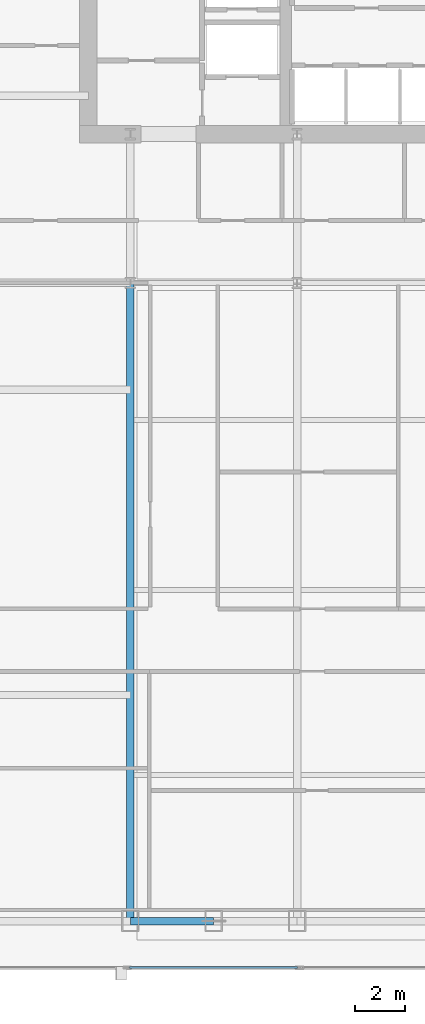
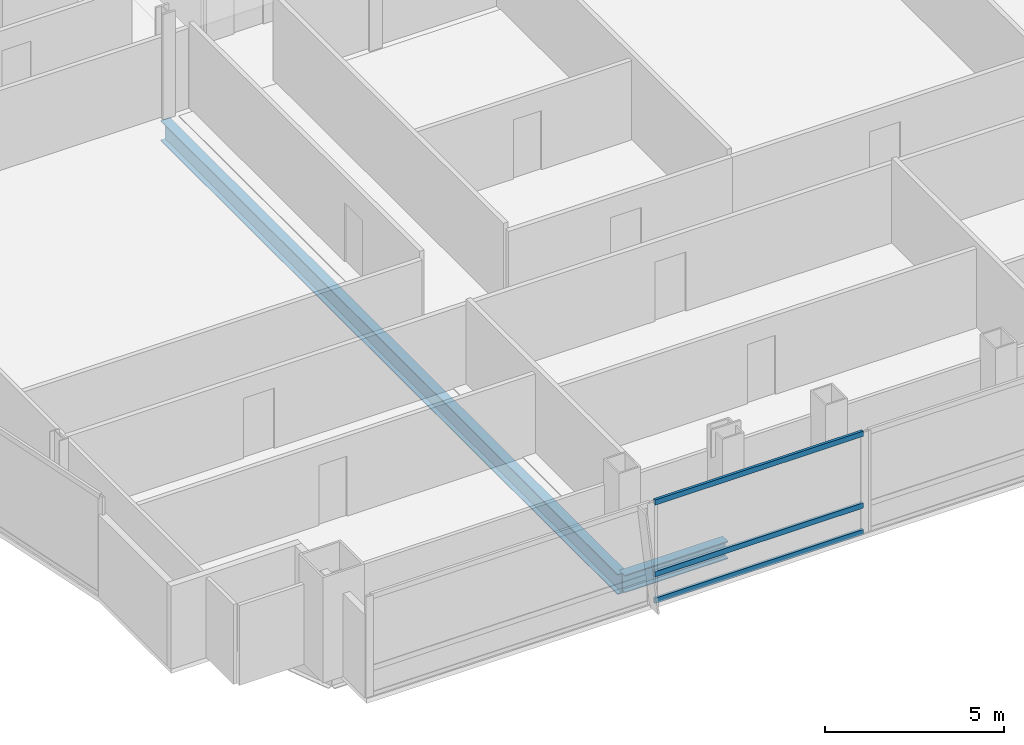
# One storey, part 7 of 29: 3 members, 2 beams, 1 element without a shape of its own.
"""IFC4 building model written with IfcOpenShell, lengths in metres."""

from ifc_helpers import new_model, si_unit, direction, frame, origin, origin_2d, place, context, subcontext, project, spatial, hollow_rectangle, i_section, extrude, material, material_profile, profile_set, type_object, element, aggregate, save


model = new_model("IFC4")

# Units and contexts
model_context = context("Model", 3, precision=1e-05, world=origin(), true_north=direction((0.0, 1.0)))
body_context = subcontext(model_context, "Body", "Model", "MODEL_VIEW")
ifc_project = project(units=[si_unit("LENGTHUNIT", "METRE"), si_unit("AREAUNIT", "SQUARE_METRE"), si_unit("VOLUMEUNIT", "CUBIC_METRE"), si_unit("PLANEANGLEUNIT", "RADIAN"), si_unit("MASSUNIT", "GRAM", prefix="KILO")], contexts=[model_context])

# Site, building, storey
site_placement = place(None, origin())
site = spatial("IfcSite", under=ifc_project, at=site_placement, CompositionType="ELEMENT")
building_placement = place(site_placement, origin())
building = spatial("IfcBuilding", under=site, at=building_placement, Name="Khoronbel Lancet Exchange", CompositionType="ELEMENT")
storey_placement = place(building_placement, frame((0.0, 0.0, 154.199951171875)))
storey = spatial("IfcBuildingStorey", under=building, at=storey_placement, Name="L38", CompositionType="ELEMENT", Elevation=154.199951171875)

# Beams
ifc_material_1 = material(Name="Steel S355", Category="steel")
ifc_material_profile_1 = material_profile(ifc_material_1, i_section(OverallWidth=0.300048828125, OverallDepth=0.699951171875, WebThickness=0.01708984375, FlangeThickness=0.031982421875, at=origin_2d()), Name="HEB 700")
ifc_profile_set_1 = profile_set([ifc_material_profile_1], Name="Steel S355")
beam_type_1 = type_object("IfcBeamType", Name="BM-BG3", PredefinedType="BEAM", material=ifc_profile_set_1)
beam_1_placement = place(storey_placement, frame((18.22509765625, 10.14990234375, -0.510009765625), z_axis=(0.0, 1.0, 0.0), x_axis=(-1.0, 0.0, 0.0)))
element("IfcBeam", 1, at=beam_1_placement, inside=storey, type_object=beam_type_1, Name="Level L38 south primary girder GS1", PredefinedType="BEAM", context=body_context, shape_type="SweptSolid", body=[
    extrude(i_section(OverallWidth=0.300048828125, OverallDepth=0.699951171875, WebThickness=0.01708984375, FlangeThickness=0.031982421875, at=origin_2d()), origin(), (0.0, 0.0, 1.0), 25.550048828125),
])
ifc_material_profile_2 = material_profile(ifc_material_1, i_section(OverallWidth=0.300048828125, OverallDepth=0.60009765625, WebThickness=0.015380859375, FlangeThickness=0.030029296875, at=origin_2d()), Name="HEB 600")
ifc_profile_set_2 = profile_set([ifc_material_profile_2], Name="Steel S355")
beam_type_2 = type_object("IfcBeamType", Name="BM-BSP2", PredefinedType="SPANDREL", material=ifc_profile_set_2)
beam_2_placement = place(storey_placement, frame((18.22509765625, 10.14990234375, -0.4599609375), z_axis=(1.0, 0.0, 0.0), x_axis=(0.0, 1.0, 0.0)))
element("IfcBeam", 2, at=beam_2_placement, inside=storey, type_object=beam_type_2, Name="Level L38 perimeter spandrel beam SP02", PredefinedType="SPANDREL", context=body_context, shape_type="SweptSolid", body=[
    extrude(i_section(OverallWidth=0.300048828125, OverallDepth=0.60009765625, WebThickness=0.015380859375, FlangeThickness=0.030029296875, at=origin_2d()), origin(), (0.0, 0.0, 1.0), 3.33740234375),
])

# Curtain wall, members
ifc_material_2 = material(Name="Low-E Solar Control Insulating Glass", Category="glass")
curtain_wall_type = type_object("IfcCurtainWallType", Name="CW-3", PredefinedType="NOTDEFINED", material=ifc_material_2)
curtain_wall_placement = place(storey_placement, origin())
curtain_wall = element("IfcCurtainWall", 3, at=curtain_wall_placement, inside=storey, type_object=curtain_wall_type, Name="Unitised curtain wall CW-L38-SWB", PredefinedType="NOTDEFINED")
ifc_material_3 = material(Name="Bronze-Anodised Aluminium 6063-T6", Category="aluminium")
ifc_material_profile_3 = material_profile(ifc_material_3, hollow_rectangle(XDim=0.0849609375, YDim=0.179931640625, WallThickness=0.0048828125, at=origin_2d()), Name="ALU TRANSOM 85x180")
ifc_profile_set_3 = profile_set([ifc_material_profile_3], Name="Bronze-Anodised Aluminium 6063-T6")
member_type = type_object("IfcMemberType", Name="MEM-CWT1", PredefinedType="USERDEFINED", material=ifc_profile_set_3)
member_1_placement = place(storey_placement, frame((18.18505859375, 8.2900390625, 0.04248046875), z_axis=(1.0, 0.0, 0.0), x_axis=(0.0, 1.0, 0.0)))
member_1 = element("IfcMember", 4, at=member_1_placement, type_object=member_type, Name="CW3 transom 1.1", ObjectType="TRANSOM", PredefinedType="USERDEFINED", context=body_context, shape_type="SweptSolid", body=[
    extrude(hollow_rectangle(XDim=0.0849609375, YDim=0.179931640625, WallThickness=0.0048828125, at=origin_2d()), origin(), (0.0, 0.0, 1.0), 6.72998046875),
])
member_2_placement = place(storey_placement, frame((18.18505859375, 8.2900390625, 0.949951171875), z_axis=(1.0, 0.0, 0.0), x_axis=(0.0, 1.0, 0.0)))
member_2 = element("IfcMember", 5, at=member_2_placement, type_object=member_type, Name="CW3 transom 1.2", ObjectType="TRANSOM", PredefinedType="USERDEFINED", context=body_context, shape_type="SweptSolid", body=[
    extrude(hollow_rectangle(XDim=0.0849609375, YDim=0.179931640625, WallThickness=0.0048828125, at=origin_2d()), origin(), (0.0, 0.0, 1.0), 6.72998046875),
])
member_3_placement = place(storey_placement, frame((18.18505859375, 8.2900390625, 3.3974609375), z_axis=(1.0, 0.0, 0.0), x_axis=(0.0, 1.0, 0.0)))
member_3 = element("IfcMember", 6, at=member_3_placement, type_object=member_type, Name="CW3 transom 1.3", ObjectType="TRANSOM", PredefinedType="USERDEFINED", context=body_context, shape_type="SweptSolid", body=[
    extrude(hollow_rectangle(XDim=0.0849609375, YDim=0.179931640625, WallThickness=0.0048828125, at=origin_2d()), origin(), (0.0, 0.0, 1.0), 6.72998046875),
])
aggregate(curtain_wall, [member_1, member_2, member_3])

save(model, "model.ifc")
